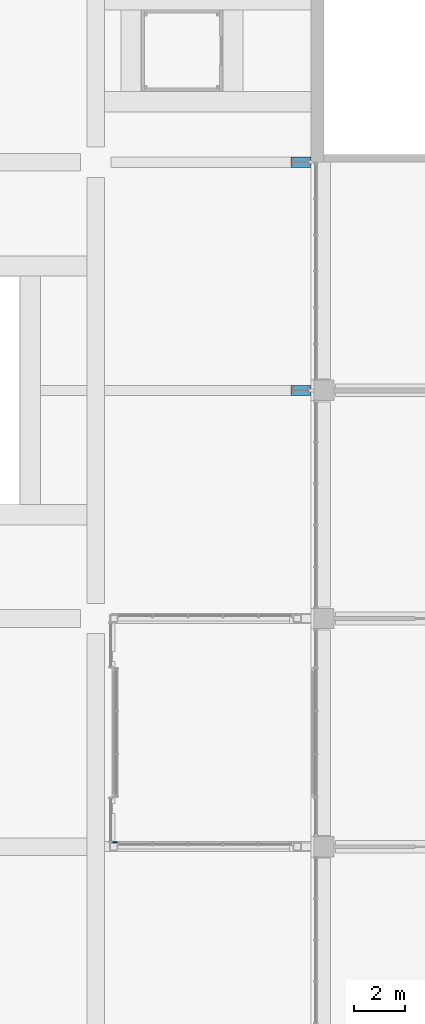
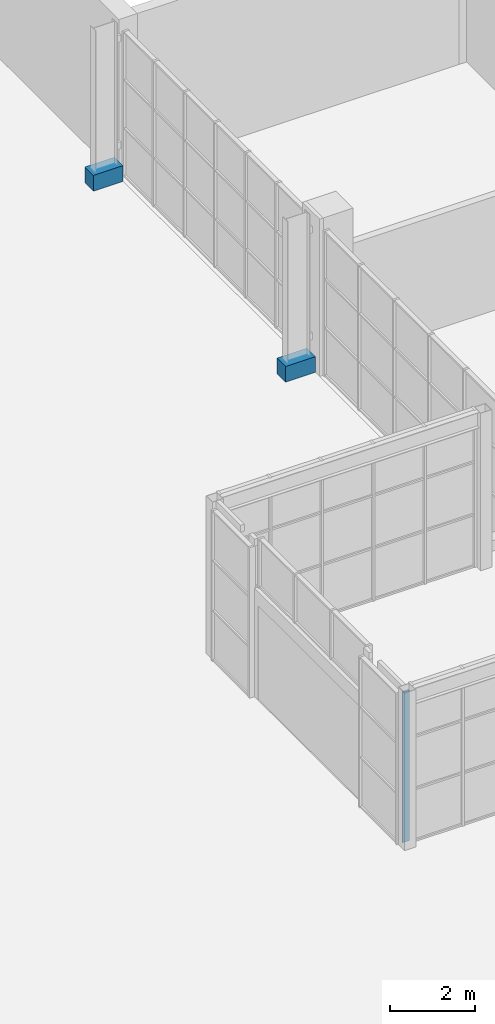
# One storey, part 115 of 168: 3 discrete accessories.
"""IFC4 building model written with IfcOpenShell, lengths in metres."""

from ifc_helpers import new_model, si_unit, direction, frame, origin, origin_2d, place, context, subcontext, project, spatial, rectangle, extrude, material, type_object, element, save


model = new_model("IFC4")

# Units and contexts
model_context = context("Model", 3, precision=1e-05, world=origin(), true_north=direction((0.0, 1.0)))
body_context = subcontext(model_context, "Body", "Model", "MODEL_VIEW")
ifc_project = project(units=[si_unit("LENGTHUNIT", "METRE"), si_unit("AREAUNIT", "SQUARE_METRE"), si_unit("VOLUMEUNIT", "CUBIC_METRE"), si_unit("PLANEANGLEUNIT", "RADIAN"), si_unit("MASSUNIT", "GRAM", prefix="KILO")], contexts=[model_context])

# Site, building, storey
site_placement = place(None, origin())
site = spatial("IfcSite", under=ifc_project, at=site_placement, CompositionType="ELEMENT")
building_placement = place(site_placement, origin())
building = spatial("IfcBuilding", under=site, at=building_placement, Name="Silverbay Arena", CompositionType="ELEMENT")
storey_placement = place(building_placement, frame((0.0, 0.0, 7.0)))
storey = spatial("IfcBuildingStorey", under=building, at=storey_placement, Name="L01", CompositionType="ELEMENT", Elevation=7.0)

# Discrete accessories
ifc_material = material(Name="Steel S355", Category="steel")
discrete_accessory_type = type_object("IfcDiscreteAccessoryType", Name="Steel bracket plate", PredefinedType="BRACKET", material=ifc_material)
for number, where, z_axis, x_axis, name in (
    (1, (26.0986328125, 117.0, 0.0), (0.0, 0.0, 1.0), (1.0, 0.0, 0.0), "Fin base shoe"),
    (2, (26.0986328125, 126.0, 0.0), (0.0, 0.0, 1.0), (1.0, 0.0, 0.0), "Fin base shoe"),
):
    element("IfcDiscreteAccessory", number, at=place(storey_placement, frame(where, z_axis=z_axis, x_axis=x_axis)), inside=storey, type_object=discrete_accessory_type, Name=name, PredefinedType="BRACKET", context=body_context, shape_type="SweptSolid", body=[
        extrude(rectangle(XDim=0.802490234375, YDim=0.39990234375, at=origin_2d()), origin(), (0.0, 0.0, 1.0), 0.449951171875),
    ])
discrete_accessory_placement = place(storey_placement, frame((18.760009765625, 99.169921875, 0.0), z_axis=(0.0, 0.0, 1.0), x_axis=(1.0, 0.0, 0.0)))
element("IfcDiscreteAccessory", 3, at=discrete_accessory_placement, inside=storey, type_object=discrete_accessory_type, Name="Glazing corner closer plate", PredefinedType="BRACKET", context=body_context, shape_type="SweptSolid", body=[
    extrude(rectangle(XDim=0.179931640625, YDim=0.0400390625, at=origin_2d()), origin(), (0.0, 0.0, 1.0), 4.300048828125),
])

save(model, "model.ifc")
